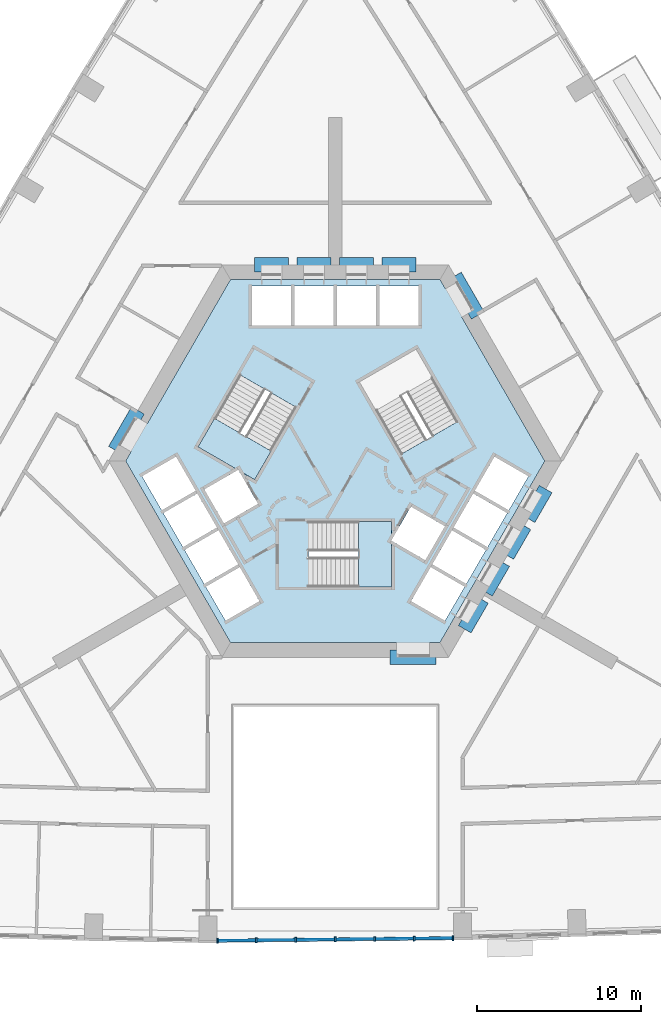
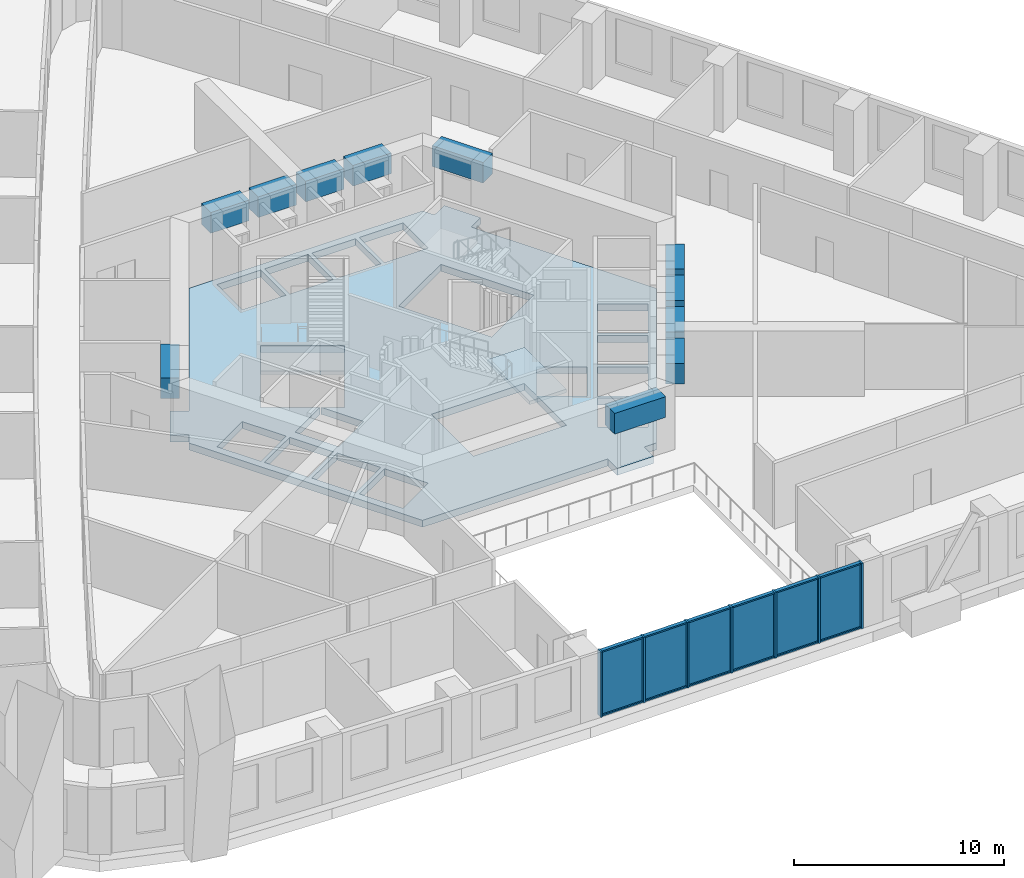
# One storey, part 2 of 15: 19 members, 11 beams, 6 plates, 3 slabs, 3 elements without a shape of their own.
"""IFC4 building model written with IfcOpenShell, lengths in metres."""

from ifc_helpers import new_model, si_unit, direction, frame, origin, origin_2d, place, context, subcontext, project, spatial, polyline, rectangle, outline, extrude, material, layer, layer_set, material_profile, profile_set, type_object, element, aggregate, save


model = new_model("IFC4")

# Units and contexts
model_context = context("Model", 3, precision=1e-05, world=origin(), true_north=direction((0.0, 1.0)))
body_context = subcontext(model_context, "Body", "Model", "MODEL_VIEW")
ifc_project = project(units=[si_unit("LENGTHUNIT", "METRE"), si_unit("AREAUNIT", "SQUARE_METRE"), si_unit("VOLUMEUNIT", "CUBIC_METRE"), si_unit("PLANEANGLEUNIT", "RADIAN"), si_unit("MASSUNIT", "GRAM", prefix="KILO")], contexts=[model_context])

# Site, building, storey
site_placement = place(None, origin())
site = spatial("IfcSite", under=ifc_project, at=site_placement, CompositionType="ELEMENT")
building_placement = place(site_placement, origin())
building = spatial("IfcBuilding", under=site, at=building_placement, Name="Entoto Arch Interchange Tower", CompositionType="ELEMENT")
storey_placement = place(building_placement, frame((0.0, 0.0, 99.199951171875)))
storey = spatial("IfcBuildingStorey", under=building, at=storey_placement, Name="L21", CompositionType="ELEMENT", Elevation=99.199951171875)

# Beams
ifc_material_1 = material(Name="Concrete C60/75", Category="concrete")
ifc_material_profile_1 = material_profile(ifc_material_1, rectangle(XDim=0.89990234375, YDim=1.199951171875, at=origin_2d()))
ifc_profile_set_1 = profile_set([ifc_material_profile_1], Name="Concrete C60/75")
beam_type = type_object("IfcBeamType", Name="Coupling beam RC 900x1200 C60/75", PredefinedType="BEAM", material=ifc_profile_set_1)
beam_1_placement = place(storey_placement, frame((8.717041015625, 11.402099609375, 3.0), z_axis=(-0.500200581029, 0.865909567298, 0.0), x_axis=(-0.865909567298, -0.500200581029, 0.0)))
element("IfcBeam", 1, at=beam_1_placement, inside=storey, type_object=beam_type, Name="Coupling beam NE L21", PredefinedType="BEAM", context=body_context, shape_type="SweptSolid", body=[
    extrude(rectangle(XDim=0.89990234375, YDim=1.199951171875, at=origin_2d()), origin(), (0.0, 0.0, 1.0), 2.799072265625),
])
beam_2_placement = place(storey_placement, frame((4.949951171875, 14.5, 3.0), z_axis=(-1.0, 0.0, 0.0), x_axis=(0.0, -1.0, 0.0)))
element("IfcBeam", 2, at=beam_2_placement, inside=storey, type_object=beam_type, Name="Coupling beam N L21", PredefinedType="BEAM", context=body_context, shape_type="SweptSolid", body=[
    extrude(rectangle(XDim=0.89990234375, YDim=1.199951171875, at=origin_2d()), origin(), (0.0, 0.0, 1.0), 2.099853515625),
])
for number, where, z_axis, x_axis, name in (
    (3, (2.35009765625, 14.5, 3.0), (-1.0, 0.0, 0.0), (0.0, -1.0, 0.0), "Coupling beam N L21"),
    (4, (-0.25, 14.5, 3.0), (-1.0, 0.0, 0.0), (0.0, -1.0, 0.0), "Coupling beam N L21"),
):
    element("IfcBeam", number, at=place(storey_placement, frame(where, z_axis=z_axis, x_axis=x_axis)), inside=storey, type_object=beam_type, Name=name, PredefinedType="BEAM", context=body_context, shape_type="SweptSolid", body=[
        extrude(rectangle(XDim=0.89990234375, YDim=1.199951171875, at=origin_2d()), origin(), (0.0, 0.0, 1.0), 2.10009765625),
    ])
beam_3_placement = place(storey_placement, frame((-2.85009765625, 14.5, 3.0), z_axis=(-1.0, 0.0, 0.0), x_axis=(0.0, -1.0, 0.0)))
element("IfcBeam", 5, at=beam_3_placement, inside=storey, type_object=beam_type, Name="Coupling beam N L21", PredefinedType="BEAM", context=body_context, shape_type="SweptSolid", body=[
    extrude(rectangle(XDim=0.89990234375, YDim=1.199951171875, at=origin_2d()), origin(), (0.0, 0.0, 1.0), 2.099853515625),
])
beam_4_placement = place(storey_placement, frame((-12.06689453125, 5.597900390625, 3.0), z_axis=(-0.500200581029, -0.865909567298, 0.0), x_axis=(0.865909567298, -0.500200581029, 0.0)))
element("IfcBeam", 6, at=beam_4_placement, inside=storey, type_object=beam_type, Name="Coupling beam NW L21", PredefinedType="BEAM", context=body_context, shape_type="SweptSolid", body=[
    extrude(rectangle(XDim=0.89990234375, YDim=1.199951171875, at=origin_2d()), origin(), (0.0, 0.0, 1.0), 2.799072265625),
])
beam_5_placement = place(storey_placement, frame((3.35009765625, -9.5, 3.0), z_axis=(1.0, 0.0, 0.0), x_axis=(0.0, 1.0, 0.0)))
element("IfcBeam", 7, at=beam_5_placement, inside=storey, type_object=beam_type, Name="Coupling beam S L21", PredefinedType="BEAM", context=body_context, shape_type="SweptSolid", body=[
    extrude(rectangle(XDim=0.89990234375, YDim=1.199951171875, at=origin_2d()), origin(), (0.0, 0.0, 1.0), 2.7998046875),
])
for number, where, z_axis, x_axis, name in (
    (8, (7.9169921875, -7.785888671875, 3.0), (0.500178781653, 0.865922159541, 0.0), (-0.865922159541, 0.500178781653, 0.0), "Coupling beam SE L21"),
    (9, (9.217041015625, -5.534912109375, 3.0), (0.500178781653, 0.865922159541, 0.0), (-0.865922159541, 0.500178781653, 0.0), "Coupling beam SE L21"),
):
    element("IfcBeam", number, at=place(storey_placement, frame(where, z_axis=z_axis, x_axis=x_axis)), inside=storey, type_object=beam_type, Name=name, PredefinedType="BEAM", context=body_context, shape_type="SweptSolid", body=[
        extrude(rectangle(XDim=0.89990234375, YDim=1.199951171875, at=origin_2d()), origin(), (0.0, 0.0, 1.0), 2.099365234375),
    ])
beam_6_placement = place(storey_placement, frame((10.51708984375, -3.282958984375, 3.0), z_axis=(0.500091574638, 0.865972526687, 0.0), x_axis=(-0.865972526687, 0.500091574638, 0.0)))
element("IfcBeam", 10, at=beam_6_placement, inside=storey, type_object=beam_type, Name="Coupling beam SE L21", PredefinedType="BEAM", context=body_context, shape_type="SweptSolid", body=[
    extrude(rectangle(XDim=0.89990234375, YDim=1.199951171875, at=origin_2d()), origin(), (0.0, 0.0, 1.0), 2.09912109375),
])
beam_7_placement = place(storey_placement, frame((11.81689453125, -1.031982421875, 3.0), z_axis=(0.500178781653, 0.865922159541, 0.0), x_axis=(-0.865922159541, 0.500178781653, 0.0)))
element("IfcBeam", 11, at=beam_7_placement, inside=storey, type_object=beam_type, Name="Coupling beam SE L21", PredefinedType="BEAM", context=body_context, shape_type="SweptSolid", body=[
    extrude(rectangle(XDim=0.89990234375, YDim=1.199951171875, at=origin_2d()), origin(), (0.0, 0.0, 1.0), 2.099365234375),
])

# Curtain wall, members
ifc_material_2 = material(Name="Aluminium, anodised", Category="aluminium")
curtain_wall_type = type_object("IfcCurtainWallType", Name="CURTAIN WALL ATRIUM", PredefinedType="NOTDEFINED", material=ifc_material_2)
curtain_wall_placement = place(storey_placement, origin())
curtain_wall = element("IfcCurtainWall", 12, at=curtain_wall_placement, inside=storey, type_object=curtain_wall_type, Name="Atrium glazing S-04 L21", PredefinedType="NOTDEFINED")
ifc_material_profile_2 = material_profile(ifc_material_2, rectangle(XDim=0.300048828125, YDim=0.10009765625, at=origin_2d()))
ifc_profile_set_2 = profile_set([ifc_material_profile_2], Name="Aluminium, anodised")
member_type_1 = type_object("IfcMemberType", Name="MULLION ATRIUM 100x300", PredefinedType="MULLION", material=ifc_profile_set_2)
member_1_placement = place(storey_placement, frame((-7.199951171875, -26.83447265625, 0.0), z_axis=(0.0, 0.0, 1.0), x_axis=(-0.011033811041, 0.999939125654, 0.0)))
member_1 = element("IfcMember", 13, at=member_1_placement, type_object=member_type_1, Name="CWA mullion 1", PredefinedType="MULLION", context=body_context, shape_type="SweptSolid", body=[
    extrude(rectangle(XDim=0.300048828125, YDim=0.10009765625, at=origin_2d()), origin(), (0.0, 0.0, 1.0), 3.800048828125),
])
member_2_placement = place(storey_placement, frame((-4.833251953125, -26.808349609375, 0.0), z_axis=(0.0, 0.0, 1.0), x_axis=(-0.011033811041, 0.999939125654, 0.0)))
member_2 = element("IfcMember", 14, at=member_2_placement, type_object=member_type_1, Name="CWA mullion 2", PredefinedType="MULLION", context=body_context, shape_type="SweptSolid", body=[
    extrude(rectangle(XDim=0.300048828125, YDim=0.10009765625, at=origin_2d()), origin(), (0.0, 0.0, 1.0), 3.800048828125),
])
member_3_placement = place(storey_placement, frame((-2.416748046875, -26.78173828125, 0.0), z_axis=(0.0, 0.0, 1.0), x_axis=(-0.011033811041, 0.999939125654, 0.0)))
member_3 = element("IfcMember", 15, at=member_3_placement, type_object=member_type_1, Name="CWA mullion 3", PredefinedType="MULLION", context=body_context, shape_type="SweptSolid", body=[
    extrude(rectangle(XDim=0.300048828125, YDim=0.10009765625, at=origin_2d()), origin(), (0.0, 0.0, 1.0), 3.800048828125),
])
member_4_placement = place(storey_placement, frame((0.0, -26.7548828125, 0.0), z_axis=(0.0, 0.0, 1.0), x_axis=(-0.011033811041, 0.999939125654, 0.0)))
member_4 = element("IfcMember", 16, at=member_4_placement, type_object=member_type_1, Name="CWA mullion 4", PredefinedType="MULLION", context=body_context, shape_type="SweptSolid", body=[
    extrude(rectangle(XDim=0.300048828125, YDim=0.10009765625, at=origin_2d()), origin(), (0.0, 0.0, 1.0), 3.800048828125),
])
member_5_placement = place(storey_placement, frame((2.416748046875, -26.728271484375, 0.0), z_axis=(0.0, 0.0, 1.0), x_axis=(-0.011033811041, 0.999939125654, 0.0)))
member_5 = element("IfcMember", 17, at=member_5_placement, type_object=member_type_1, Name="CWA mullion 5", PredefinedType="MULLION", context=body_context, shape_type="SweptSolid", body=[
    extrude(rectangle(XDim=0.300048828125, YDim=0.10009765625, at=origin_2d()), origin(), (0.0, 0.0, 1.0), 3.800048828125),
])
member_6_placement = place(storey_placement, frame((4.833251953125, -26.70166015625, 0.0), z_axis=(0.0, 0.0, 1.0), x_axis=(-0.011033811041, 0.999939125654, 0.0)))
member_6 = element("IfcMember", 18, at=member_6_placement, type_object=member_type_1, Name="CWA mullion 6", PredefinedType="MULLION", context=body_context, shape_type="SweptSolid", body=[
    extrude(rectangle(XDim=0.300048828125, YDim=0.10009765625, at=origin_2d()), origin(), (0.0, 0.0, 1.0), 3.800048828125),
])
member_7_placement = place(storey_placement, frame((7.199951171875, -26.675537109375, 0.0), z_axis=(0.0, 0.0, 1.0), x_axis=(-0.011033811041, 0.999939125654, 0.0)))
member_7 = element("IfcMember", 19, at=member_7_placement, type_object=member_type_1, Name="CWA mullion 7", PredefinedType="MULLION", context=body_context, shape_type="SweptSolid", body=[
    extrude(rectangle(XDim=0.300048828125, YDim=0.10009765625, at=origin_2d()), origin(), (0.0, 0.0, 1.0), 3.800048828125),
])
ifc_material_profile_3 = material_profile(ifc_material_2, rectangle(XDim=0.199951171875, YDim=0.080078125, at=origin_2d()))
ifc_profile_set_3 = profile_set([ifc_material_profile_3], Name="Aluminium, anodised")
member_type_2 = type_object("IfcMemberType", Name="TRANSOM ATRIUM 80x200", PredefinedType="USERDEFINED", material=ifc_profile_set_3)
member_8_placement = place(storey_placement, frame((-7.14990234375, -26.833984375, 0.0400390625), z_axis=(0.999938463314, 0.011093673171, 0.0), x_axis=(-0.011093673171, 0.999938463314, 0.0)))
member_8 = element("IfcMember", 20, at=member_8_placement, type_object=member_type_2, Name="CWA transom 1.1", ObjectType="TRANSOM", PredefinedType="USERDEFINED", context=body_context, shape_type="SweptSolid", body=[
    extrude(rectangle(XDim=0.199951171875, YDim=0.080078125, at=origin_2d()), origin(), (0.0, 0.0, 1.0), 2.266845703125),
])
member_9_placement = place(storey_placement, frame((-7.14990234375, -26.833984375, 3.760009765625), z_axis=(0.999938463314, 0.011093673171, 0.0), x_axis=(-0.011093673171, 0.999938463314, 0.0)))
member_9 = element("IfcMember", 21, at=member_9_placement, type_object=member_type_2, Name="CWA transom 1.2", ObjectType="TRANSOM", PredefinedType="USERDEFINED", context=body_context, shape_type="SweptSolid", body=[
    extrude(rectangle(XDim=0.199951171875, YDim=0.080078125, at=origin_2d()), origin(), (0.0, 0.0, 1.0), 2.266845703125),
])
member_10_placement = place(storey_placement, frame((-4.783447265625, -26.807861328125, 0.0400390625), z_axis=(0.999938796493, 0.011063601015, 0.0), x_axis=(-0.011063601015, 0.999938796493, 0.0)))
member_10 = element("IfcMember", 22, at=member_10_placement, type_object=member_type_2, Name="CWA transom 2.1", ObjectType="TRANSOM", PredefinedType="USERDEFINED", context=body_context, shape_type="SweptSolid", body=[
    extrude(rectangle(XDim=0.199951171875, YDim=0.080078125, at=origin_2d()), origin(), (0.0, 0.0, 1.0), 2.317138671875),
])
member_11_placement = place(storey_placement, frame((-4.783447265625, -26.807861328125, 3.760009765625), z_axis=(0.999938796493, 0.011063601015, 0.0), x_axis=(-0.011063601015, 0.999938796493, 0.0)))
member_11 = element("IfcMember", 23, at=member_11_placement, type_object=member_type_2, Name="CWA transom 2.2", ObjectType="TRANSOM", PredefinedType="USERDEFINED", context=body_context, shape_type="SweptSolid", body=[
    extrude(rectangle(XDim=0.199951171875, YDim=0.080078125, at=origin_2d()), origin(), (0.0, 0.0, 1.0), 2.317138671875),
])
member_12_placement = place(storey_placement, frame((-2.36669921875, -26.781005859375, 0.0400390625), z_axis=(0.999939943964, 0.010959400798, 0.0), x_axis=(-0.010959400798, 0.999939943964, 0.0)))
member_12 = element("IfcMember", 24, at=member_12_placement, type_object=member_type_2, Name="CWA transom 3.1", ObjectType="TRANSOM", PredefinedType="USERDEFINED", context=body_context, shape_type="SweptSolid", body=[
    extrude(rectangle(XDim=0.199951171875, YDim=0.080078125, at=origin_2d()), origin(), (0.0, 0.0, 1.0), 2.31689453125),
])
member_13_placement = place(storey_placement, frame((-2.36669921875, -26.781005859375, 3.760009765625), z_axis=(0.999939943964, 0.010959400798, 0.0), x_axis=(-0.010959400798, 0.999939943964, 0.0)))
member_13 = element("IfcMember", 25, at=member_13_placement, type_object=member_type_2, Name="CWA transom 3.2", ObjectType="TRANSOM", PredefinedType="USERDEFINED", context=body_context, shape_type="SweptSolid", body=[
    extrude(rectangle(XDim=0.199951171875, YDim=0.080078125, at=origin_2d()), origin(), (0.0, 0.0, 1.0), 2.31689453125),
])
member_14_placement = place(storey_placement, frame((0.050048828125, -26.75439453125, 0.0400390625), z_axis=(0.999939943964, 0.010959400798, 0.0), x_axis=(-0.010959400798, 0.999939943964, 0.0)))
member_14 = element("IfcMember", 26, at=member_14_placement, type_object=member_type_2, Name="CWA transom 4.1", ObjectType="TRANSOM", PredefinedType="USERDEFINED", context=body_context, shape_type="SweptSolid", body=[
    extrude(rectangle(XDim=0.199951171875, YDim=0.080078125, at=origin_2d()), origin(), (0.0, 0.0, 1.0), 2.31689453125),
])
member_15_placement = place(storey_placement, frame((0.050048828125, -26.75439453125, 3.760009765625), z_axis=(0.999939943964, 0.010959400798, 0.0), x_axis=(-0.010959400798, 0.999939943964, 0.0)))
member_15 = element("IfcMember", 27, at=member_15_placement, type_object=member_type_2, Name="CWA transom 4.2", ObjectType="TRANSOM", PredefinedType="USERDEFINED", context=body_context, shape_type="SweptSolid", body=[
    extrude(rectangle(XDim=0.199951171875, YDim=0.080078125, at=origin_2d()), origin(), (0.0, 0.0, 1.0), 2.31689453125),
])
member_16_placement = place(storey_placement, frame((2.466552734375, -26.727783203125, 0.0400390625), z_axis=(0.999938796493, 0.011063601015, 0.0), x_axis=(-0.011063601015, 0.999938796493, 0.0)))
member_16 = element("IfcMember", 28, at=member_16_placement, type_object=member_type_2, Name="CWA transom 5.1", ObjectType="TRANSOM", PredefinedType="USERDEFINED", context=body_context, shape_type="SweptSolid", body=[
    extrude(rectangle(XDim=0.199951171875, YDim=0.080078125, at=origin_2d()), origin(), (0.0, 0.0, 1.0), 2.317138671875),
])
member_17_placement = place(storey_placement, frame((2.466552734375, -26.727783203125, 3.760009765625), z_axis=(0.999938796493, 0.011063601015, 0.0), x_axis=(-0.011063601015, 0.999938796493, 0.0)))
member_17 = element("IfcMember", 29, at=member_17_placement, type_object=member_type_2, Name="CWA transom 5.2", ObjectType="TRANSOM", PredefinedType="USERDEFINED", context=body_context, shape_type="SweptSolid", body=[
    extrude(rectangle(XDim=0.199951171875, YDim=0.080078125, at=origin_2d()), origin(), (0.0, 0.0, 1.0), 2.317138671875),
])
member_18_placement = place(storey_placement, frame((4.88330078125, -26.701171875, 0.0400390625), z_axis=(0.999938463314, 0.011093673171, 0.0), x_axis=(-0.011093673171, 0.999938463314, 0.0)))
member_18 = element("IfcMember", 30, at=member_18_placement, type_object=member_type_2, Name="CWA transom 6.1", ObjectType="TRANSOM", PredefinedType="USERDEFINED", context=body_context, shape_type="SweptSolid", body=[
    extrude(rectangle(XDim=0.199951171875, YDim=0.080078125, at=origin_2d()), origin(), (0.0, 0.0, 1.0), 2.266845703125),
])
member_19_placement = place(storey_placement, frame((4.88330078125, -26.701171875, 3.760009765625), z_axis=(0.999938463314, 0.011093673171, 0.0), x_axis=(-0.011093673171, 0.999938463314, 0.0)))
member_19 = element("IfcMember", 31, at=member_19_placement, type_object=member_type_2, Name="CWA transom 6.2", ObjectType="TRANSOM", PredefinedType="USERDEFINED", context=body_context, shape_type="SweptSolid", body=[
    extrude(rectangle(XDim=0.199951171875, YDim=0.080078125, at=origin_2d()), origin(), (0.0, 0.0, 1.0), 2.266845703125),
])

# Slab
ifc_material_3 = material(Name="Concrete C40/50", Category="concrete")
ifc_layer_1 = layer(ifc_material_3, 0.39990234375)
ifc_layer_set_1 = layer_set([ifc_layer_1], Name="Concrete C40/50")
slab_type_1 = type_object("IfcSlabType", Name="Core floor slab 400 C40/50", PredefinedType="FLOOR", material=ifc_layer_set_1)
slab_1_placement = place(storey_placement, frame((0.0, 0.0, -0.39990234375)))
element("IfcSlab", 32, at=slab_1_placement, inside=storey, type_object=slab_type_1, Name="Core floor slab L21", PredefinedType="FLOOR", context=body_context, shape_type="SweptSolid", body=[
    extrude(outline(polyline([(5.75, -9.5), (3.75, -9.5), (3.75, -8.60009765625), (-6.408935546875, -8.60009765625), (-12.81689453125, 2.5), (-12.488037109375, 3.070068359375), (-13.26708984375, 3.52001953125), (-12.26708984375, 5.251953125), (-11.488037109375, 4.802001953125), (-6.408935546875, 13.60009765625), (6.408935546875, 13.60009765625), (6.738037109375, 13.030029296875), (7.51708984375, 13.47998046875), (8.51708984375, 11.748046875), (7.738037109375, 11.298095703125), (12.81689453125, 2.5), (6.408935546875, -8.60009765625), (5.75, -8.60009765625), (5.75, -9.5)]), holes=[polyline([(-4.637939453125, -6.06689453125), (-5.837890625, -3.988037109375), (-7.916015625, -5.18798828125), (-6.716064453125, -7.26708984375), (-4.637939453125, -6.06689453125)]), polyline([(-5.93798828125, -3.81494140625), (-7.137939453125, -1.737060546875), (-9.216064453125, -2.93701171875), (-8.01611328125, -5.014892578125), (-5.93798828125, -3.81494140625)]), polyline([(5.5048828125, -3.56494140625), (6.705078125, -1.487060546875), (4.626953125, -0.287109375), (3.449951171875, -2.324951171875), (3.449951171875, -1.199951171875), (-1.64990234375, -1.199951171875), (-1.64990234375, -5.199951171875), (3.449951171875, -5.199951171875), (3.449951171875, -2.3779296875), (5.5048828125, -3.56494140625)]), polyline([(-7.238037109375, -1.56298828125), (-8.43798828125, 0.514892578125), (-10.51611328125, -0.68505859375), (-9.31591796875, -2.762939453125), (-7.238037109375, -1.56298828125)]), polyline([(-4.72705078125, -0.113037109375), (-5.904052734375, 1.925048828125), (-4.928955078125, 1.362060546875), (-2.37890625, 5.779052734375), (-5.843017578125, 7.779052734375), (-8.39306640625, 3.362060546875), (-5.949951171875, 1.951904296875), (-8.0048828125, 0.764892578125), (-6.804931640625, -1.31298828125), (-4.72705078125, -0.113037109375)]), polyline([(-8.5380859375, 0.68798828125), (-9.738037109375, 2.76708984375), (-11.81591796875, 1.56689453125), (-10.615966796875, -0.511962890625), (-8.5380859375, 0.68798828125)]), polyline([(-5.10009765625, 10.800048828125), (-2.699951171875, 10.800048828125), (-2.699951171875, 13.199951171875), (-5.10009765625, 13.199951171875), (-5.10009765625, 10.800048828125)]), polyline([(-2.5, 10.800048828125), (-0.10009765625, 10.800048828125), (-0.10009765625, 13.199951171875), (-2.5, 13.199951171875), (-2.5, 10.800048828125)]), polyline([(5.837890625, -3.988037109375), (4.637939453125, -6.06689453125), (6.716064453125, -7.26708984375), (7.916015625, -5.18798828125), (5.837890625, -3.988037109375)]), polyline([(7.137939453125, -1.737060546875), (5.93798828125, -3.81494140625), (8.01611328125, -5.014892578125), (9.216064453125, -2.93701171875), (7.137939453125, -1.737060546875)]), polyline([(8.43798828125, 0.514892578125), (7.238037109375, -1.56298828125), (9.31591796875, -2.762939453125), (10.51611328125, -0.68505859375), (8.43798828125, 0.514892578125)]), polyline([(9.738037109375, 2.76708984375), (8.5380859375, 0.68798828125), (10.615966796875, -0.511962890625), (11.81591796875, 1.56689453125), (9.738037109375, 2.76708984375)]), polyline([(4.029052734375, 2.9208984375), (7.492919921875, 4.9208984375), (4.943115234375, 9.337890625), (1.47900390625, 7.337890625), (4.029052734375, 2.9208984375)]), polyline([(0.10009765625, 13.199951171875), (0.10009765625, 10.800048828125), (2.5, 10.800048828125), (2.5, 13.199951171875), (0.10009765625, 13.199951171875)]), polyline([(2.699951171875, 13.199951171875), (2.699951171875, 10.800048828125), (5.10009765625, 10.800048828125), (5.10009765625, 13.199951171875), (2.699951171875, 13.199951171875)])]), origin(), (0.0, 0.0, 1.0), 0.39990234375),
])

# Stair, slab
stair_type = type_object("IfcStairType", Name="EXIT STAIR RC 1800", PredefinedType="HALF_TURN_STAIR", material=ifc_material_3)
stair_1_placement = place(storey_placement, origin())
stair_1 = element("IfcStair", 33, at=stair_1_placement, inside=storey, type_object=stair_type, Name="L21 Exit stair S", PredefinedType="HALF_TURN_STAIR")
ifc_layer_2 = layer(ifc_material_3, 0.199951171875)
ifc_layer_set_2 = layer_set([ifc_layer_2], Name="Concrete C40/50")
slab_type_2 = type_object("IfcSlabType", Name="EXIT STAIR LANDING RC 200", PredefinedType="LANDING", material=ifc_layer_set_2)
slab_2_placement = place(storey_placement, frame((0.0, 0.0, 1.900146484375)))
slab_2 = element("IfcSlab", 34, at=slab_2_placement, type_object=slab_type_2, Name="ST-S landing 1", PredefinedType="LANDING", context=body_context, shape_type="SweptSolid", body=[
    extrude(outline(polyline([(1.429931640625, -5.199951171875), (3.449951171875, -5.199951171875), (3.449951171875, -1.199951171875), (1.429931640625, -1.199951171875), (1.429931640625, -5.199951171875)])), origin(), (0.0, 0.0, 1.0), 0.199951171875),
])
aggregate(stair_1, [slab_2])

stair_2_placement = place(storey_placement, origin())
stair_2 = element("IfcStair", 35, at=stair_2_placement, inside=storey, type_object=stair_type, Name="L21 Exit stair NW", PredefinedType="HALF_TURN_STAIR")
slab_3_placement = place(storey_placement, frame((0.0, 0.0, 1.900146484375)))
slab_3 = element("IfcSlab", 36, at=slab_3_placement, type_object=slab_type_2, Name="ST-NW landing 1", PredefinedType="LANDING", context=body_context, shape_type="SweptSolid", body=[
    extrude(outline(polyline([(-7.38330078125, 5.111572265625), (-8.393310546875, 3.3623046875), (-4.92919921875, 1.3623046875), (-3.919189453125, 3.111572265625), (-7.38330078125, 5.111572265625)])), origin(), (0.0, 0.0, 1.0), 0.199951171875),
])
aggregate(stair_2, [slab_3])

# Plate
ifc_material_4 = material(Name="Clear glass, low-e double glazed", Category="glass")
ifc_layer_3 = layer(ifc_material_4, 0.031982421875)
ifc_layer_set_3 = layer_set([ifc_layer_3], Name="Clear glass, low-e double glazed")
plate_type = type_object("IfcPlateType", Name="GLAZING PANEL ATRIUM 32", PredefinedType="CURTAIN_PANEL", material=ifc_layer_set_3)
plate_1_placement = place(storey_placement, frame((-6.0166015625, -26.8212890625, 0.080078125), z_axis=(0.0, 0.0, 1.0), x_axis=(0.999939125654, 0.011033811041, 0.0)))
plate_1 = element("IfcPlate", 37, at=plate_1_placement, type_object=plate_type, Name="CWA panel 1.1", PredefinedType="CURTAIN_PANEL", context=body_context, shape_type="SweptSolid", body=[
    extrude(rectangle(XDim=2.266845703125, YDim=0.031982421875, at=origin_2d()), origin(), (0.0, 0.0, 1.0), 3.639892578125),
])

plate_2_placement = place(storey_placement, frame((-3.625, -26.794921875, 0.080078125), z_axis=(0.0, 0.0, 1.0), x_axis=(0.999939125654, 0.011033811041, 0.0)))
plate_2 = element("IfcPlate", 38, at=plate_2_placement, type_object=plate_type, Name="CWA panel 2.1", PredefinedType="CURTAIN_PANEL", context=body_context, shape_type="SweptSolid", body=[
    extrude(rectangle(XDim=2.31689453125, YDim=0.031982421875, at=origin_2d()), origin(), (0.0, 0.0, 1.0), 3.639892578125),
])

plate_3_placement = place(storey_placement, frame((-1.208251953125, -26.768310546875, 0.080078125), z_axis=(0.0, 0.0, 1.0), x_axis=(0.999939125654, 0.011033811041, 0.0)))
plate_3 = element("IfcPlate", 39, at=plate_3_placement, type_object=plate_type, Name="CWA panel 3.1", PredefinedType="CURTAIN_PANEL", context=body_context, shape_type="SweptSolid", body=[
    extrude(rectangle(XDim=2.31689453125, YDim=0.031982421875, at=origin_2d()), origin(), (0.0, 0.0, 1.0), 3.639892578125),
])

plate_4_placement = place(storey_placement, frame((1.208251953125, -26.74169921875, 0.080078125), z_axis=(0.0, 0.0, 1.0), x_axis=(0.999939125654, 0.011033811041, 0.0)))
plate_4 = element("IfcPlate", 40, at=plate_4_placement, type_object=plate_type, Name="CWA panel 4.1", PredefinedType="CURTAIN_PANEL", context=body_context, shape_type="SweptSolid", body=[
    extrude(rectangle(XDim=2.31689453125, YDim=0.031982421875, at=origin_2d()), origin(), (0.0, 0.0, 1.0), 3.639892578125),
])

plate_5_placement = place(storey_placement, frame((3.625, -26.715087890625, 0.080078125), z_axis=(0.0, 0.0, 1.0), x_axis=(0.999939125654, 0.011033811041, 0.0)))
plate_5 = element("IfcPlate", 41, at=plate_5_placement, type_object=plate_type, Name="CWA panel 5.1", PredefinedType="CURTAIN_PANEL", context=body_context, shape_type="SweptSolid", body=[
    extrude(rectangle(XDim=2.31689453125, YDim=0.031982421875, at=origin_2d()), origin(), (0.0, 0.0, 1.0), 3.639892578125),
])

plate_6_placement = place(storey_placement, frame((6.0166015625, -26.688720703125, 0.080078125), z_axis=(0.0, 0.0, 1.0), x_axis=(0.999939125654, 0.011033811041, 0.0)))
plate_6 = element("IfcPlate", 42, at=plate_6_placement, type_object=plate_type, Name="CWA panel 6.1", PredefinedType="CURTAIN_PANEL", context=body_context, shape_type="SweptSolid", body=[
    extrude(rectangle(XDim=2.266845703125, YDim=0.031982421875, at=origin_2d()), origin(), (0.0, 0.0, 1.0), 3.639892578125),
])

aggregate(curtain_wall, [member_1, member_2, member_3, member_4, member_5, member_6, member_7, member_8, member_9, plate_1, member_10, member_11, plate_2, member_12, member_13, plate_3, member_14, member_15, plate_4, member_16, member_17, plate_5, member_18, member_19, plate_6])

save(model, "model.ifc")
